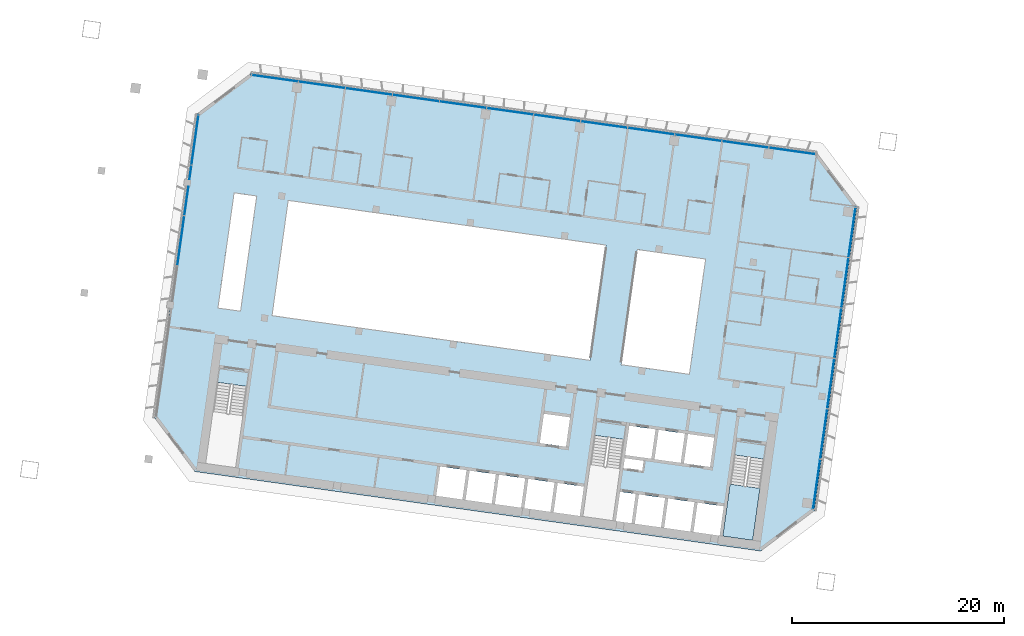
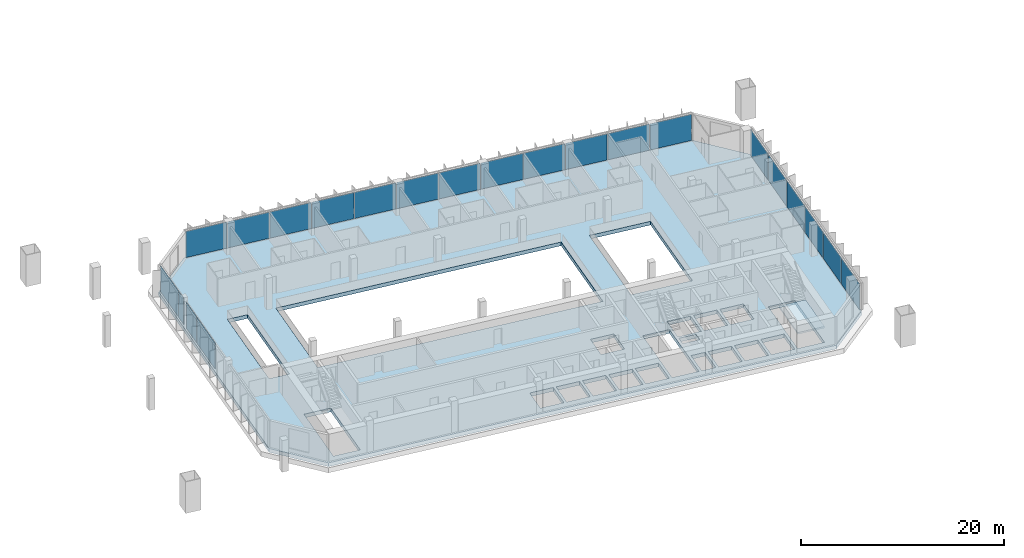
# One storey, part 13 of 26: 22 plates, 2 slabs, 4 elements without a shape of their own.
"""IFC4 building model written with IfcOpenShell, lengths in metres."""

from ifc_helpers import new_model, si_unit, direction, frame, origin, origin_2d, place, context, subcontext, project, spatial, polyline, rectangle, outline, extrude, material, layer, layer_set, type_object, element, aggregate, save


model = new_model("IFC4")

# Units and contexts
model_context = context("Model", 3, precision=1e-05, world=origin(), true_north=direction((0.0, 1.0)))
body_context = subcontext(model_context, "Body", "Model", "MODEL_VIEW")
ifc_project = project(units=[si_unit("LENGTHUNIT", "METRE"), si_unit("AREAUNIT", "SQUARE_METRE"), si_unit("VOLUMEUNIT", "CUBIC_METRE"), si_unit("PLANEANGLEUNIT", "RADIAN"), si_unit("MASSUNIT", "GRAM", prefix="KILO")], contexts=[model_context])

# Site, building, storey
site_placement = place(None, origin())
site = spatial("IfcSite", under=ifc_project, at=site_placement, CompositionType="ELEMENT")
building_placement = place(site_placement, origin())
building = spatial("IfcBuilding", under=site, at=building_placement, Name="Mirante Cascada Hotel Towers", CompositionType="ELEMENT")
storey_placement = place(building_placement, frame((0.0, 0.0, 98.7)))
storey = spatial("IfcBuildingStorey", under=building, at=storey_placement, Name="L21", CompositionType="ELEMENT", Elevation=98.7)

# Curtain wall, plates
ifc_material_1 = material(Name="Aluminium mullion and transom frame with clear laminated glass", Category="aluminium")
curtain_wall_type_1 = type_object("IfcCurtainWallType", Name="Ribbon curtain wall ECW1", PredefinedType="NOTDEFINED", material=ifc_material_1)
curtain_wall_1_placement = place(storey_placement, origin())
curtain_wall_1 = element("IfcCurtainWall", 1, at=curtain_wall_1_placement, inside=storey, type_object=curtain_wall_type_1, Name="Front ribbon wall T1 L21", PredefinedType="NOTDEFINED")
ifc_material_2 = material(Name="Clear laminated glass", Category="glass")
ifc_layer_1 = layer(ifc_material_2, 0.036)
ifc_layer_set_1 = layer_set([ifc_layer_1], Name="ECW1 glass panel 36")
plate_type_1 = type_object("IfcPlateType", Name="ECW1 glass panel 36", PredefinedType="CURTAIN_PANEL", material=ifc_layer_set_1)
plate_1_placement = place(storey_placement, frame((-83.0067, 24.4849, 0.1), z_axis=(0.0, 0.0, 1.0), x_axis=(0.9902681, -0.1391731, 0.0)))
plate_1 = element("IfcPlate", 2, at=plate_1_placement, type_object=plate_type_1, Name="ECW1 panel 1", PredefinedType="CURTAIN_PANEL", context=body_context, shape_type="SweptSolid", body=[
    extrude(rectangle(XDim=4.3921, YDim=0.036, at=origin_2d()), origin(), (0.0, 0.0, 1.0), 3.15),
])
plate_2_placement = place(storey_placement, frame((-78.5768, 23.8623, 0.1), z_axis=(0.0, 0.0, 1.0), x_axis=(0.9902681, -0.1391731, 0.0)))
plate_2 = element("IfcPlate", 3, at=plate_2_placement, type_object=plate_type_1, Name="ECW1 panel 2", PredefinedType="CURTAIN_PANEL", context=body_context, shape_type="SweptSolid", body=[
    extrude(rectangle(XDim=4.4246, YDim=0.036, at=origin_2d()), origin(), (0.0, 0.0, 1.0), 3.15),
])
plate_3_placement = place(storey_placement, frame((-74.1309, 23.2374, 0.1), z_axis=(0.0, 0.0, 1.0), x_axis=(0.9902681, -0.1391731, 0.0)))
plate_3 = element("IfcPlate", 4, at=plate_3_placement, type_object=plate_type_1, Name="ECW1 panel 3", PredefinedType="CURTAIN_PANEL", context=body_context, shape_type="SweptSolid", body=[
    extrude(rectangle(XDim=4.4246, YDim=0.036, at=origin_2d()), origin(), (0.0, 0.0, 1.0), 3.15),
])
plate_4_placement = place(storey_placement, frame((-69.6849, 22.6126, 0.1), z_axis=(0.0, 0.0, 1.0), x_axis=(0.9902681, -0.1391731, 0.0)))
plate_4 = element("IfcPlate", 5, at=plate_4_placement, type_object=plate_type_1, Name="ECW1 panel 4", PredefinedType="CURTAIN_PANEL", context=body_context, shape_type="SweptSolid", body=[
    extrude(rectangle(XDim=4.4246, YDim=0.036, at=origin_2d()), origin(), (0.0, 0.0, 1.0), 3.15),
])
plate_5_placement = place(storey_placement, frame((-65.239, 21.9878, 0.1), z_axis=(0.0, 0.0, 1.0), x_axis=(0.9902681, -0.1391731, 0.0)))
plate_5 = element("IfcPlate", 6, at=plate_5_placement, type_object=plate_type_1, Name="ECW1 panel 5", PredefinedType="CURTAIN_PANEL", context=body_context, shape_type="SweptSolid", body=[
    extrude(rectangle(XDim=4.4246, YDim=0.036, at=origin_2d()), origin(), (0.0, 0.0, 1.0), 3.15),
])
plate_6_placement = place(storey_placement, frame((-60.793, 21.3629, 0.1), z_axis=(0.0, 0.0, 1.0), x_axis=(0.9902681, -0.1391731, 0.0)))
plate_6 = element("IfcPlate", 7, at=plate_6_placement, type_object=plate_type_1, Name="ECW1 panel 6", PredefinedType="CURTAIN_PANEL", context=body_context, shape_type="SweptSolid", body=[
    extrude(rectangle(XDim=4.4246, YDim=0.036, at=origin_2d()), origin(), (0.0, 0.0, 1.0), 3.15),
])
plate_7_placement = place(storey_placement, frame((-56.3471, 20.7381, 0.1), z_axis=(0.0, 0.0, 1.0), x_axis=(0.9902681, -0.1391731, 0.0)))
plate_7 = element("IfcPlate", 8, at=plate_7_placement, type_object=plate_type_1, Name="ECW1 panel 7", PredefinedType="CURTAIN_PANEL", context=body_context, shape_type="SweptSolid", body=[
    extrude(rectangle(XDim=4.4246, YDim=0.036, at=origin_2d()), origin(), (0.0, 0.0, 1.0), 3.15),
])
plate_8_placement = place(storey_placement, frame((-51.9011, 20.1132, 0.1), z_axis=(0.0, 0.0, 1.0), x_axis=(0.9902681, -0.1391731, 0.0)))
plate_8 = element("IfcPlate", 9, at=plate_8_placement, type_object=plate_type_1, Name="ECW1 panel 8", PredefinedType="CURTAIN_PANEL", context=body_context, shape_type="SweptSolid", body=[
    extrude(rectangle(XDim=4.4246, YDim=0.036, at=origin_2d()), origin(), (0.0, 0.0, 1.0), 3.15),
])
plate_9_placement = place(storey_placement, frame((-47.4552, 19.4884, 0.1), z_axis=(0.0, 0.0, 1.0), x_axis=(0.9902681, -0.1391731, 0.0)))
plate_9 = element("IfcPlate", 10, at=plate_9_placement, type_object=plate_type_1, Name="ECW1 panel 9", PredefinedType="CURTAIN_PANEL", context=body_context, shape_type="SweptSolid", body=[
    extrude(rectangle(XDim=4.4246, YDim=0.036, at=origin_2d()), origin(), (0.0, 0.0, 1.0), 3.15),
])
plate_10_placement = place(storey_placement, frame((-43.0092, 18.8636, 0.1), z_axis=(0.0, 0.0, 1.0), x_axis=(0.9902681, -0.1391731, 0.0)))
plate_10 = element("IfcPlate", 11, at=plate_10_placement, type_object=plate_type_1, Name="ECW1 panel 10", PredefinedType="CURTAIN_PANEL", context=body_context, shape_type="SweptSolid", body=[
    extrude(rectangle(XDim=4.4246, YDim=0.036, at=origin_2d()), origin(), (0.0, 0.0, 1.0), 3.15),
])
plate_11_placement = place(storey_placement, frame((-38.5632, 18.2387, 0.1), z_axis=(0.0, 0.0, 1.0), x_axis=(0.9902681, -0.1391731, 0.0)))
plate_11 = element("IfcPlate", 12, at=plate_11_placement, type_object=plate_type_1, Name="ECW1 panel 11", PredefinedType="CURTAIN_PANEL", context=body_context, shape_type="SweptSolid", body=[
    extrude(rectangle(XDim=4.4246, YDim=0.036, at=origin_2d()), origin(), (0.0, 0.0, 1.0), 3.15),
])
plate_12_placement = place(storey_placement, frame((-34.1334, 17.6162, 0.1), z_axis=(0.0, 0.0, 1.0), x_axis=(0.9902681, -0.1391731, 0.0)))
plate_12 = element("IfcPlate", 13, at=plate_12_placement, type_object=plate_type_1, Name="ECW1 panel 12", PredefinedType="CURTAIN_PANEL", context=body_context, shape_type="SweptSolid", body=[
    extrude(rectangle(XDim=4.3921, YDim=0.036, at=origin_2d()), origin(), (0.0, 0.0, 1.0), 3.15),
])
aggregate(curtain_wall_1, [plate_1, plate_2, plate_3, plate_4, plate_5, plate_6, plate_7, plate_8, plate_9, plate_10, plate_11, plate_12])

ifc_material_3 = material(Name="Aluminium mullion and transom frame with clear laminated glass", Category="aluminium")
curtain_wall_type_2 = type_object("IfcCurtainWallType", Name="End ribbon curtain wall ECW2", PredefinedType="NOTDEFINED", material=ifc_material_3)
curtain_wall_2_placement = place(storey_placement, origin())
curtain_wall_2 = element("IfcCurtainWall", 14, at=curtain_wall_2_placement, inside=storey, type_object=curtain_wall_type_2, Name="Inner end wall T1 L21", PredefinedType="NOTDEFINED")
ifc_material_4 = material(Name="Clear laminated glass", Category="glass")
ifc_layer_2 = layer(ifc_material_4, 0.034)
ifc_layer_set_2 = layer_set([ifc_layer_2], Name="ECW2 glass panel 34")
plate_type_2 = type_object("IfcPlateType", Name="ECW2 glass panel 34", PredefinedType="CURTAIN_PANEL", material=ifc_layer_set_2)
plate_13_placement = place(storey_placement, frame((-28.4763, 9.9193, 0.1), z_axis=(0.0, 0.0, 1.0), x_axis=(-0.1391731, -0.9902681, 0.0)))
plate_13 = element("IfcPlate", 15, at=plate_13_placement, type_object=plate_type_2, Name="ECW2 panel 1", PredefinedType="CURTAIN_PANEL", context=body_context, shape_type="SweptSolid", body=[
    extrude(rectangle(XDim=4.7151, YDim=0.034, at=origin_2d()), origin(), (0.0, 0.0, 1.0), 3.15),
])
plate_14_placement = place(storey_placement, frame((-29.1439, 5.1696, 0.1), z_axis=(0.0, 0.0, 1.0), x_axis=(-0.1391731, -0.9902681, 0.0)))
plate_14 = element("IfcPlate", 16, at=plate_14_placement, type_object=plate_type_2, Name="ECW2 panel 2", PredefinedType="CURTAIN_PANEL", context=body_context, shape_type="SweptSolid", body=[
    extrude(rectangle(XDim=4.7476, YDim=0.034, at=origin_2d()), origin(), (0.0, 0.0, 1.0), 3.15),
])
plate_15_placement = place(storey_placement, frame((-29.8136, 0.4038, 0.1), z_axis=(0.0, 0.0, 1.0), x_axis=(-0.1391731, -0.9902681, 0.0)))
plate_15 = element("IfcPlate", 17, at=plate_15_placement, type_object=plate_type_2, Name="ECW2 panel 3", PredefinedType="CURTAIN_PANEL", context=body_context, shape_type="SweptSolid", body=[
    extrude(rectangle(XDim=4.7476, YDim=0.034, at=origin_2d()), origin(), (0.0, 0.0, 1.0), 3.15),
])
plate_16_placement = place(storey_placement, frame((-30.4834, -4.362, 0.1), z_axis=(0.0, 0.0, 1.0), x_axis=(-0.1391731, -0.9902681, 0.0)))
plate_16 = element("IfcPlate", 18, at=plate_16_placement, type_object=plate_type_2, Name="ECW2 panel 4", PredefinedType="CURTAIN_PANEL", context=body_context, shape_type="SweptSolid", body=[
    extrude(rectangle(XDim=4.7476, YDim=0.034, at=origin_2d()), origin(), (0.0, 0.0, 1.0), 3.15),
])
plate_17_placement = place(storey_placement, frame((-31.1532, -9.1278, 0.1), z_axis=(0.0, 0.0, 1.0), x_axis=(-0.1391731, -0.9902681, 0.0)))
plate_17 = element("IfcPlate", 19, at=plate_17_placement, type_object=plate_type_2, Name="ECW2 panel 5", PredefinedType="CURTAIN_PANEL", context=body_context, shape_type="SweptSolid", body=[
    extrude(rectangle(XDim=4.7476, YDim=0.034, at=origin_2d()), origin(), (0.0, 0.0, 1.0), 3.15),
])
plate_18_placement = place(storey_placement, frame((-31.8207, -13.8775, 0.1), z_axis=(0.0, 0.0, 1.0), x_axis=(-0.1391731, -0.9902681, 0.0)))
plate_18 = element("IfcPlate", 20, at=plate_18_placement, type_object=plate_type_2, Name="ECW2 panel 6", PredefinedType="CURTAIN_PANEL", context=body_context, shape_type="SweptSolid", body=[
    extrude(rectangle(XDim=4.7151, YDim=0.034, at=origin_2d()), origin(), (0.0, 0.0, 1.0), 3.15),
])
aggregate(curtain_wall_2, [plate_13, plate_14, plate_15, plate_16, plate_17, plate_18])

curtain_wall_3_placement = place(storey_placement, origin())
curtain_wall_3 = element("IfcCurtainWall", 21, at=curtain_wall_3_placement, inside=storey, type_object=curtain_wall_type_2, Name="Outer end wall T1 L21", PredefinedType="NOTDEFINED")
plate_19_placement = place(storey_placement, frame((-91.9035, 9.1299, 0.1), z_axis=(0.0, 0.0, 1.0), x_axis=(0.1391731, 0.9902681, 0.0)))
plate_19 = element("IfcPlate", 22, at=plate_19_placement, type_object=plate_type_2, Name="ECW2 panel 4", PredefinedType="CURTAIN_PANEL", context=body_context, shape_type="SweptSolid", body=[
    extrude(rectangle(XDim=4.7476, YDim=0.034, at=origin_2d()), origin(), (0.0, 0.0, 1.0), 3.15),
])
plate_20_placement = place(storey_placement, frame((-91.3737, 12.8991, 0.1), z_axis=(0.0, 0.0, 1.0), x_axis=(0.1391731, 0.9902681, 0.0)))
plate_20 = element("IfcPlate", 23, at=plate_20_placement, type_object=plate_type_2, Name="ECW2 panel 5", PredefinedType="CURTAIN_PANEL", context=body_context, shape_type="SweptSolid", body=[
    extrude(rectangle(XDim=2.7349, YDim=0.034, at=origin_2d()), origin(), (0.0, 0.0, 1.0), 3.15),
])
plate_21_placement = place(storey_placement, frame((-90.9953, 15.5915, 0.1), z_axis=(0.0, 0.0, 1.0), x_axis=(0.1391731, 0.9902681, 0.0)))
plate_21 = element("IfcPlate", 24, at=plate_21_placement, type_object=plate_type_2, Name="ECW2 panel 5", PredefinedType="CURTAIN_PANEL", context=body_context, shape_type="SweptSolid", body=[
    extrude(rectangle(XDim=1.3227, YDim=0.034, at=origin_2d()), origin(), (0.0, 0.0, 1.0), 3.15),
])
plate_22_placement = place(storey_placement, frame((-90.5661, 18.6454, 0.1), z_axis=(0.0, 0.0, 1.0), x_axis=(0.1391731, 0.9902681, 0.0)))
plate_22 = element("IfcPlate", 25, at=plate_22_placement, type_object=plate_type_2, Name="ECW2 panel 6", PredefinedType="CURTAIN_PANEL", context=body_context, shape_type="SweptSolid", body=[
    extrude(rectangle(XDim=4.7151, YDim=0.034, at=origin_2d()), origin(), (0.0, 0.0, 1.0), 3.15),
])
aggregate(curtain_wall_3, [plate_19, plate_20, plate_21, plate_22])

# Stair, slab
ifc_material_5 = material(Name="Concrete C35/45", Category="concrete")
stair_type = type_object("IfcStairType", Name="Exit stair half-turn 1350 concrete C35/45", PredefinedType="HALF_TURN_STAIR", material=ifc_material_5)
stair_placement = place(storey_placement, origin())
stair = element("IfcStair", 26, at=stair_placement, inside=storey, type_object=stair_type, Name="L21 Exit stair A", PredefinedType="HALF_TURN_STAIR")
ifc_material_6 = material(Name="Concrete C35/45", Category="concrete")
ifc_layer_3 = layer(ifc_material_6, 0.2)
ifc_layer_set_3 = layer_set([ifc_layer_3], Name="Exit stair landing 200 concrete C35/45")
slab_type_1 = type_object("IfcSlabType", Name="Exit stair landing 200 concrete C35/45", PredefinedType="LANDING", material=ifc_layer_set_3)
slab_1_placement = place(storey_placement, frame((0.0, 0.0, 1.7)))
slab_1 = element("IfcSlab", 27, at=slab_1_placement, type_object=slab_type_1, Name="ST1-A landing 1", PredefinedType="LANDING", context=body_context, shape_type="SweptSolid", body=[
    extrude(outline(polyline([(-39.9987, -13.8659), (-40.6887, -18.7757), (-37.8665, -19.1723), (-37.1765, -14.2626), (-39.9987, -13.8659)])), origin(), (0.0, 0.0, 1.0), 0.2),
])
aggregate(stair, [slab_1])

# Slab
ifc_material_7 = material(Name="Concrete C40/50", Category="concrete")
ifc_layer_4 = layer(ifc_material_7, 0.45)
ifc_layer_set_4 = layer_set([ifc_layer_4], Name="Post-tensioned flat plate 450 Concrete C40/50")
slab_type_2 = type_object("IfcSlabType", Name="Post-tensioned flat plate 450 Concrete C40/50", PredefinedType="FLOOR", material=ifc_layer_set_4)
slab_2_placement = place(storey_placement, frame((0.0, 0.0, -0.45)))
element("IfcSlab", 28, at=slab_2_placement, inside=storey, type_object=slab_type_2, Name="Floor T1 L21", PredefinedType="FLOOR", context=body_context, shape_type="SweptSolid", body=[
    extrude(outline(polyline([(-32.018, -16.3589), (-27.982, 12.3589), (-31.8119, 17.4414), (-85.2864, 24.9567), (-90.3689, 21.1268), (-94.4049, -7.591), (-90.575, -12.6735), (-37.1005, -20.1888), (-32.018, -16.3589)]), holes=[polyline([(-43.0718, -15.6132), (-40.5961, -15.9612), (-40.9858, -18.7339), (-43.4615, -18.386), (-43.0718, -15.6132)]), polyline([(-45.8446, -15.2236), (-43.3689, -15.5715), (-43.7586, -18.3442), (-46.2342, -17.9963), (-45.8446, -15.2236)]), polyline([(-48.6173, -14.8339), (-46.1416, -15.1818), (-46.5313, -17.9546), (-49.007, -17.6066), (-48.6173, -14.8339)]), polyline([(-50.3998, -14.5834), (-48.9144, -14.7921), (-49.3041, -17.5649), (-50.7895, -17.3561), (-50.3998, -14.5834)]), polyline([(-36.7887, -11.5037), (-37.8665, -19.1723), (-40.6887, -18.7757), (-39.611, -11.107), (-36.7887, -11.5037)]), polyline([(-49.9544, -11.4145), (-48.1472, -11.6685), (-48.2829, -12.634), (-50.0901, -12.38), (-49.9544, -11.4145)]), polyline([(-43.9775, -9.124), (-41.5018, -9.472), (-41.8915, -12.2447), (-44.3672, -11.8968), (-43.9775, -9.124)]), polyline([(-47.1399, -11.5071), (-46.7503, -8.7344), (-44.2746, -9.0823), (-44.6643, -11.855), (-47.1399, -11.5071)]), polyline([(-49.9127, -11.1174), (-49.523, -8.3447), (-47.0473, -8.6926), (-47.437, -11.4654), (-49.9127, -11.1174)]), polyline([(-56.2919, -13.7553), (-53.8162, -14.1032), (-54.2059, -16.876), (-56.6816, -16.528), (-56.2919, -13.7553)]), polyline([(-59.0646, -13.3656), (-56.589, -13.7135), (-56.9787, -16.4863), (-59.4543, -16.1383), (-59.0646, -13.3656)]), polyline([(-61.8374, -12.9759), (-59.3617, -13.3238), (-59.7514, -16.0966), (-62.2271, -15.7487), (-61.8374, -12.9759)]), polyline([(-64.6101, -12.5862), (-62.1345, -12.9342), (-62.5242, -15.7069), (-64.9998, -15.359), (-64.6101, -12.5862)]), polyline([(-67.3829, -12.1965), (-64.9072, -12.5445), (-65.2969, -15.3172), (-67.7726, -14.9693), (-67.3829, -12.1965)]), polyline([(-50.0088, -9.6457), (-51.0866, -17.3144), (-53.9088, -16.9177), (-52.8311, -9.2491), (-50.0088, -9.6457)]), polyline([(-85.6585, -4.6355), (-86.7362, -12.3041), (-89.5585, -11.9075), (-88.4807, -4.2388), (-85.6585, -4.6355)]), polyline([(-57.9834, -9.9832), (-57.5937, -7.2104), (-55.118, -7.5583), (-55.5077, -10.3311), (-57.9834, -9.9832)]), polyline([(-86.873, 13.6677), (-84.7325, 13.3668), (-84.7325, 13.3668), (-86.2634, 2.4739), (-86.2634, 2.4739), (-88.4039, 2.7747), (-86.873, 13.6677)]), polyline([(-51.7318, 8.7289), (-53.2627, -2.1641), (-53.2627, -2.1641), (-83.2906, 2.0561), (-83.2906, 2.0561), (-81.7597, 12.949), (-81.7597, 12.949), (-51.7318, 8.7289)]), polyline([(-42.3109, 7.4049), (-43.8418, -3.4881), (-50.2899, -2.5818), (-50.2899, -2.5818), (-48.759, 8.3111), (-42.3109, 7.4049)])]), origin(), (0.0, 0.0, 1.0), 0.45),
])

save(model, "model.ifc")
